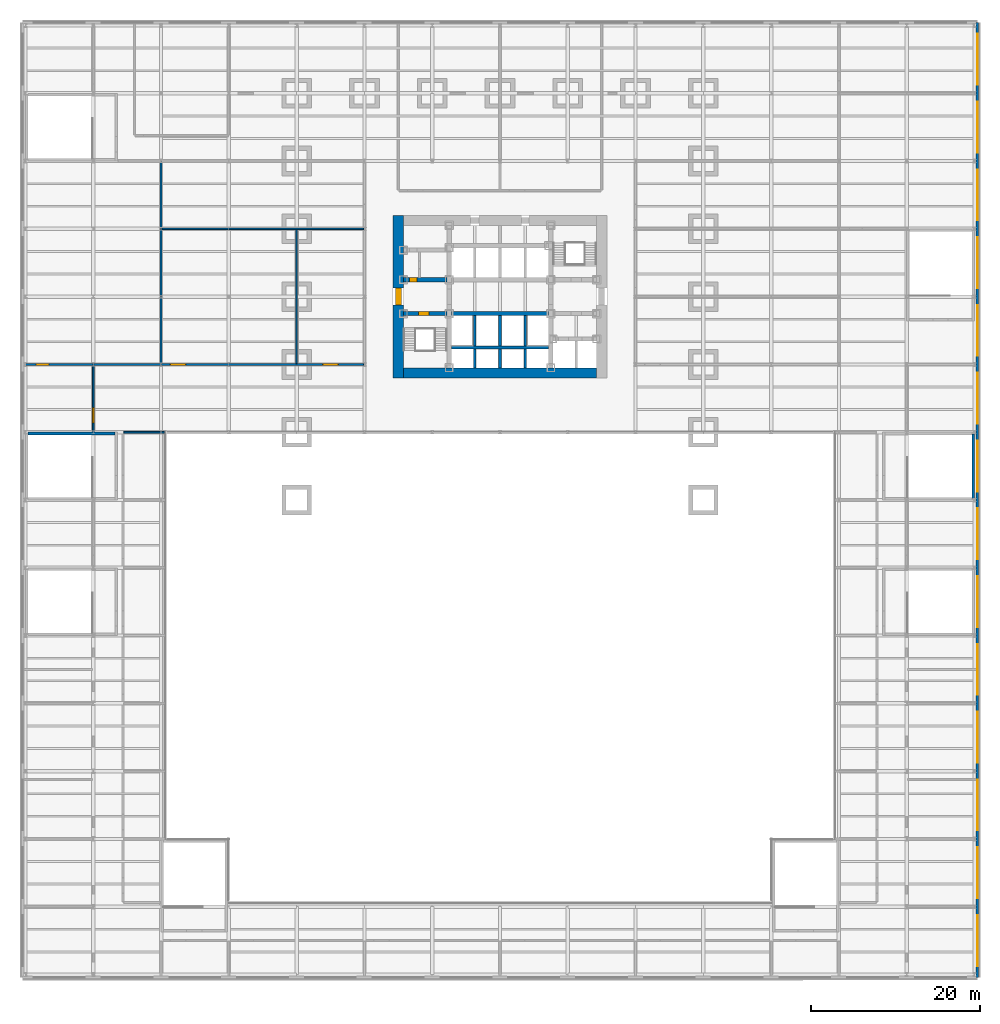
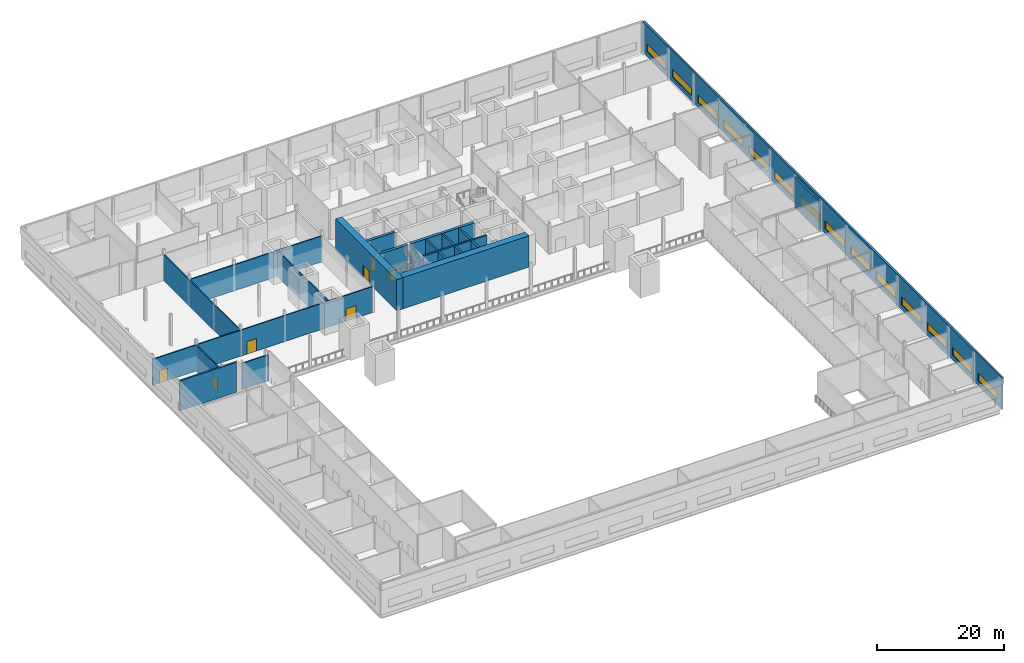
# One storey, part 14 of 21: 22 walls, 14 windows, 7 doors, 21 openings.
"""IFC4 building model written with IfcOpenShell, lengths in metres."""

from ifc_helpers import new_model, si_unit, direction, frame, frame_2d, origin, place, context, subcontext, project, spatial, rectangle, extrude, material, layer, layer_set, type_object, element, fill, save


model = new_model("IFC4")

# Units and contexts
model_context = context("Model", 3, precision=1e-05, world=origin(), true_north=direction((0.0, 1.0)))
body_context = subcontext(model_context, "Body", "Model", "MODEL_VIEW")
ifc_project = project(units=[si_unit("LENGTHUNIT", "METRE"), si_unit("AREAUNIT", "SQUARE_METRE"), si_unit("VOLUMEUNIT", "CUBIC_METRE"), si_unit("PLANEANGLEUNIT", "RADIAN"), si_unit("MASSUNIT", "GRAM", prefix="KILO")], contexts=[model_context])

# Site, building, storey
site_placement = place(None, origin())
site = spatial("IfcSite", under=ifc_project, at=site_placement, CompositionType="ELEMENT")
building_placement = place(site_placement, origin())
building = spatial("IfcBuilding", under=site, at=building_placement, Name="Daluyong Arena Tower", CompositionType="ELEMENT")
storey_placement = place(building_placement, frame((0.0, 0.0, 19.89990234375)))
storey = spatial("IfcBuildingStorey", under=building, at=storey_placement, Name="L04", CompositionType="ELEMENT", Elevation=19.89990234375)

# Wall, opening, door
ifc_material_1 = material(Name="Concrete fc' 45 MPa", Category="concrete")
ifc_layer_1 = layer(ifc_material_1, 0.5)
ifc_layer_set_1 = layer_set([ifc_layer_1], Name="Concrete fc' 45 MPa")
wall_type_1 = type_object("IfcWallType", Name="Core inner wall 500", PredefinedType="SHEAR", material=ifc_layer_set_1)
wall_1_placement = place(storey_placement, frame((44.60009765625, 78.0, 0.0), z_axis=(0.0, 0.0, 1.0), x_axis=(1.0, 0.0, 0.0)))
wall_1 = element("IfcWall", 1, at=wall_1_placement, inside=storey, type_object=wall_type_1, Name="core inner wall at L04", PredefinedType="SHEAR", context=body_context, shape_type="SweptSolid", body=[
    extrude(rectangle(XDim=5.14990234375, YDim=0.5, at=frame_2d((2.574951171875, 0.0))), origin(), (0.0, 0.0, 1.0), 6.0),
])
opening_1_placement = place(wall_1_placement, frame((1.800048828125, 0.0, 0.0)))
opening_1 = element("IfcOpeningElement", 2, at=opening_1_placement, cuts=wall_1, Name="Opening 04006", PredefinedType="OPENING", context=body_context, shape_type="SweptSolid", body=[
    extrude(rectangle(XDim=1.199951171875, YDim=2.10009765625, at=frame_2d((0.60009765625, 1.050048828125))), frame((0.0, 0.260009765625, 0.0), z_axis=(0.0, -1.0, 0.0), x_axis=(1.0, 0.0, 0.0)), (0.0, 0.0, 1.0), 0.52001953125),
])
ifc_material_2 = material(Name="Steel door, fire rated", Category="steel")
door_type_1 = type_object("IfcDoorType", Name="Stair door 1200", OperationType="SINGLE_SWING_LEFT", PredefinedType="DOOR", material=ifc_material_2)
door_1_placement = place(opening_1_placement, origin())
door_1 = element("IfcDoor", 3, at=door_1_placement, inside=storey, type_object=door_type_1, Name="stair A door 04006", OperationType="SINGLE_SWING_LEFT", OverallHeight=2.10009765625, OverallWidth=1.199951171875, PredefinedType="DOOR", context=body_context, shape_type="SweptSolid", body=[
    extrude(rectangle(XDim=1.199951171875, YDim=2.10009765625, at=frame_2d((0.60009765625, 1.050048828125))), frame((0.0, 0.249755859375, 0.0), z_axis=(0.0, -1.0, 0.0), x_axis=(1.0, 0.0, 0.0)), (0.0, 0.0, 1.0), 0.49951171875),
])
fill(opening_1, door_1)

wall_2_placement = place(storey_placement, frame((44.60009765625, 82.0, 0.0), z_axis=(0.0, 0.0, 1.0), x_axis=(1.0, 0.0, 0.0)))
wall_2 = element("IfcWall", 4, at=wall_2_placement, inside=storey, type_object=wall_type_1, Name="core inner wall at L04", PredefinedType="SHEAR", context=body_context, shape_type="SweptSolid", body=[
    extrude(rectangle(XDim=5.14990234375, YDim=0.5, at=frame_2d((2.574951171875, 0.0))), origin(), (0.0, 0.0, 1.0), 6.0),
])
opening_2_placement = place(wall_2_placement, frame((0.699951171875, 0.0, 0.0)))
opening_2 = element("IfcOpeningElement", 5, at=opening_2_placement, cuts=wall_2, Name="Opening 04001", PredefinedType="OPENING", context=body_context, shape_type="SweptSolid", body=[
    extrude(rectangle(XDim=0.89990234375, YDim=2.10009765625, at=frame_2d((0.449951171875, 1.050048828125))), frame((0.0, 0.260009765625, 0.0), z_axis=(0.0, -1.0, 0.0), x_axis=(1.0, 0.0, 0.0)), (0.0, 0.0, 1.0), 0.52001953125),
])
ifc_material_3 = material(Name="Steel door, fire rated", Category="steel")
door_type_2 = type_object("IfcDoorType", Name="Core room door 900", OperationType="SINGLE_SWING_LEFT", PredefinedType="DOOR", material=ifc_material_3)
door_2_placement = place(opening_2_placement, origin())
door_2 = element("IfcDoor", 6, at=door_2_placement, inside=storey, type_object=door_type_2, Name="toilet lobby door 04001", OperationType="SINGLE_SWING_LEFT", OverallHeight=2.10009765625, OverallWidth=0.89990234375, PredefinedType="DOOR", context=body_context, shape_type="SweptSolid", body=[
    extrude(rectangle(XDim=0.89990234375, YDim=2.10009765625, at=frame_2d((0.449951171875, 1.050048828125))), frame((0.0, 0.249755859375, 0.0), z_axis=(0.0, -1.0, 0.0), x_axis=(1.0, 0.0, 0.0)), (0.0, 0.0, 1.0), 0.49951171875),
])
fill(opening_2, door_2)

# Wall
wall_3_placement = place(storey_placement, frame((50.25, 78.0, 0.0), z_axis=(0.0, 0.0, 1.0), x_axis=(1.0, 0.0, 0.0)))
element("IfcWall", 7, at=wall_3_placement, inside=storey, type_object=wall_type_1, Name="core inner wall at L04", PredefinedType="SHEAR", context=body_context, shape_type="SweptSolid", body=[
    extrude(rectangle(XDim=11.5, YDim=0.5, at=frame_2d((5.75, 0.0))), origin(), (0.0, 0.0, 1.0), 6.0),
])

# Wall, opening, door
ifc_material_4 = material(Name="Concrete fc' 60 MPa", Category="concrete")
ifc_layer_2 = layer(ifc_material_4, 1.199951171875)
ifc_layer_set_2 = layer_set([ifc_layer_2], Name="Concrete fc' 60 MPa")
wall_type_2 = type_object("IfcWallType", Name="Core wall 1200", PredefinedType="SHEAR", material=ifc_layer_set_2)
wall_4_placement = place(storey_placement, frame((44.0, 70.39990234375, 0.0), z_axis=(0.0, 0.0, 1.0), x_axis=(0.0, 1.0, 0.0)))
wall_4 = element("IfcWall", 8, at=wall_4_placement, inside=storey, type_object=wall_type_2, Name="core wall at L04", PredefinedType="SHEAR", context=body_context, shape_type="SweptSolid", body=[
    extrude(rectangle(XDim=19.2001953125, YDim=1.199951171875, at=frame_2d((9.60009765625, 0.0))), origin(), (0.0, 0.0, 1.0), 6.0),
])
opening_3_placement = place(wall_4_placement, frame((8.60009765625, 0.0, 0.0)))
opening_3 = element("IfcOpeningElement", 9, at=opening_3_placement, cuts=wall_4, Name="Opening 04008", PredefinedType="OPENING", context=body_context, shape_type="SweptSolid", body=[
    extrude(rectangle(XDim=2.0, YDim=2.39990234375, at=frame_2d((1.0, 1.199951171875))), frame((0.0, 0.60986328125, 0.0), z_axis=(0.0, -1.0, 0.0), x_axis=(1.0, 0.0, 0.0)), (0.0, 0.0, 1.0), 1.219970703125),
])
ifc_material_5 = material(Name="Steel door, fire rated", Category="steel")
door_type_3 = type_object("IfcDoorType", Name="Core lobby double door 2000", OperationType="DOUBLE_DOOR_SINGLE_SWING", PredefinedType="DOOR", material=ifc_material_5)
door_3_placement = place(opening_3_placement, origin())
door_3 = element("IfcDoor", 10, at=door_3_placement, inside=storey, type_object=door_type_3, Name="core lobby door west 04008", OperationType="DOUBLE_DOOR_SINGLE_SWING", OverallHeight=2.39990234375, OverallWidth=2.0, PredefinedType="DOOR", context=body_context, shape_type="SweptSolid", body=[
    extrude(rectangle(XDim=2.0, YDim=2.39990234375, at=frame_2d((1.0, 1.199951171875))), frame((0.0, 0.35009765625, 0.0), z_axis=(0.0, -1.0, 0.0), x_axis=(1.0, 0.0, 0.0)), (0.0, 0.0, 1.0), 0.699951171875),
])
fill(opening_3, door_3)

# Wall
wall_5_placement = place(storey_placement, frame((44.60009765625, 71.0, 0.0), z_axis=(0.0, 0.0, 1.0), x_axis=(1.0, 0.0, 0.0)))
element("IfcWall", 11, at=wall_5_placement, inside=storey, type_object=wall_type_2, Name="core wall at L04", PredefinedType="SHEAR", context=body_context, shape_type="SweptSolid", body=[
    extrude(rectangle(XDim=22.7998046875, YDim=1.199951171875, at=frame_2d((11.39990234375, 0.0))), origin(), (0.0, 0.0, 1.0), 6.0),
])

# Wall, opening, door
ifc_material_6 = material(Name="Concrete block partition, fire rated", Category="concrete")
ifc_layer_3 = layer(ifc_material_6, 0.199951171875)
ifc_layer_set_3 = layer_set([ifc_layer_3], Name="Concrete block partition, fire rated")
wall_type_3 = type_object("IfcWallType", Name="Fire-rated partition 200", PredefinedType="PARTITIONING", material=ifc_layer_set_3)
wall_6_placement = place(storey_placement, frame((0.0, 72.0, 0.0), z_axis=(0.0, 0.0, 1.0), x_axis=(1.0, 0.0, 0.0)))
wall_6 = element("IfcWall", 12, at=wall_6_placement, inside=storey, type_object=wall_type_3, Name="fire-rated partition at L04", PredefinedType="PARTITIONING", context=body_context, shape_type="SweptSolid", body=[
    extrude(rectangle(XDim=16.0, YDim=0.199951171875, at=frame_2d((8.0, 0.0))), origin(), (0.0, 0.0, 1.0), 4.977783203125),
])
opening_4_placement = place(wall_6_placement, frame((1.25, 0.0, 0.0)))
opening_4 = element("IfcOpeningElement", 13, at=opening_4_placement, cuts=wall_6, Name="Opening 04031", PredefinedType="OPENING", context=body_context, shape_type="SweptSolid", body=[
    extrude(rectangle(XDim=1.5, YDim=2.39990234375, at=frame_2d((0.75, 1.199951171875))), frame((0.0, 0.10986328125, 0.0), z_axis=(0.0, -1.0, 0.0), x_axis=(1.0, 0.0, 0.0)), (0.0, 0.0, 1.0), 0.219970703125),
])
ifc_material_7 = material(Name="Steel door, fire rated", Category="steel")
door_type_4 = type_object("IfcDoorType", Name="Plant room door 1500", OperationType="DOUBLE_DOOR_SINGLE_SWING", PredefinedType="DOOR", material=ifc_material_7)
door_4_placement = place(opening_4_placement, origin())
door_4 = element("IfcDoor", 14, at=door_4_placement, inside=storey, type_object=door_type_4, Name="air handling plant room door 04031", OperationType="DOUBLE_DOOR_SINGLE_SWING", OverallHeight=2.39990234375, OverallWidth=1.5, PredefinedType="DOOR", context=body_context, shape_type="SweptSolid", body=[
    extrude(rectangle(XDim=1.5, YDim=2.39990234375, at=frame_2d((0.75, 1.199951171875))), frame((0.0, 0.099609375, 0.0), z_axis=(0.0, -1.0, 0.0), x_axis=(1.0, 0.0, 0.0)), (0.0, 0.0, 1.0), 0.199462890625),
])
fill(opening_4, door_4)

# Walls
wall_7_placement = place(storey_placement, frame((16.0, 72.10009765625, 0.0), z_axis=(0.0, 0.0, 1.0), x_axis=(0.0, 1.0, 0.0)))
element("IfcWall", 15, at=wall_7_placement, inside=storey, type_object=wall_type_3, Name="fire-rated partition at L04", PredefinedType="PARTITIONING", context=body_context, shape_type="SweptSolid", body=[
    extrude(rectangle(XDim=23.7998046875, YDim=0.199951171875, at=frame_2d((11.89990234375, 0.0))), origin(), (0.0, 0.0, 1.0), 4.977783203125),
])
ifc_material_8 = material(Name="Concrete fc' 45 MPa", Category="concrete")
ifc_layer_4 = layer(ifc_material_8, 0.300048828125)
ifc_layer_set_4 = layer_set([ifc_layer_4], Name="Concrete fc' 45 MPa")
wall_type_4 = type_object("IfcWallType", Name="Lift shaft wall 300", PredefinedType="SHEAR", material=ifc_layer_set_4)
wall_8_placement = place(storey_placement, frame((50.25, 74.0, 0.0), z_axis=(0.0, 0.0, 1.0), x_axis=(1.0, 0.0, 0.0)))
element("IfcWall", 16, at=wall_8_placement, inside=storey, type_object=wall_type_4, Name="lift shaft wall at L04", PredefinedType="SHEAR", context=body_context, shape_type="SweptSolid", body=[
    extrude(rectangle(XDim=11.5, YDim=0.300048828125, at=frame_2d((5.75, 0.0))), origin(), (0.0, 0.0, 1.0), 6.0),
])
wall_9_placement = place(storey_placement, frame((53.0, 71.60009765625, 0.0), z_axis=(0.0, 0.0, 1.0), x_axis=(0.0, 1.0, 0.0)))
element("IfcWall", 17, at=wall_9_placement, inside=storey, type_object=wall_type_4, Name="lift shaft wall at L04", PredefinedType="SHEAR", context=body_context, shape_type="SweptSolid", body=[
    extrude(rectangle(XDim=2.25, YDim=0.300048828125, at=frame_2d((1.125, 0.0))), origin(), (0.0, 0.0, 1.0), 6.0),
])
wall_10_placement = place(storey_placement, frame((53.0, 74.14990234375, 0.0), z_axis=(0.0, 0.0, 1.0), x_axis=(0.0, 1.0, 0.0)))
element("IfcWall", 18, at=wall_10_placement, inside=storey, type_object=wall_type_4, Name="lift shaft wall at L04", PredefinedType="SHEAR", context=body_context, shape_type="SweptSolid", body=[
    extrude(rectangle(XDim=3.60009765625, YDim=0.300048828125, at=frame_2d((1.800048828125, 0.0))), origin(), (0.0, 0.0, 1.0), 6.0),
])
wall_11_placement = place(storey_placement, frame((56.0, 71.60009765625, 0.0), z_axis=(0.0, 0.0, 1.0), x_axis=(0.0, 1.0, 0.0)))
element("IfcWall", 19, at=wall_11_placement, inside=storey, type_object=wall_type_4, Name="lift shaft wall at L04", PredefinedType="SHEAR", context=body_context, shape_type="SweptSolid", body=[
    extrude(rectangle(XDim=2.25, YDim=0.300048828125, at=frame_2d((1.125, 0.0))), origin(), (0.0, 0.0, 1.0), 6.0),
])
wall_12_placement = place(storey_placement, frame((56.0, 74.14990234375, 0.0), z_axis=(0.0, 0.0, 1.0), x_axis=(0.0, 1.0, 0.0)))
element("IfcWall", 20, at=wall_12_placement, inside=storey, type_object=wall_type_4, Name="lift shaft wall at L04", PredefinedType="SHEAR", context=body_context, shape_type="SweptSolid", body=[
    extrude(rectangle(XDim=3.60009765625, YDim=0.300048828125, at=frame_2d((1.800048828125, 0.0))), origin(), (0.0, 0.0, 1.0), 6.0),
])
wall_13_placement = place(storey_placement, frame((59.0, 71.60009765625, 0.0), z_axis=(0.0, 0.0, 1.0), x_axis=(0.0, 1.0, 0.0)))
element("IfcWall", 21, at=wall_13_placement, inside=storey, type_object=wall_type_4, Name="lift shaft wall at L04", PredefinedType="SHEAR", context=body_context, shape_type="SweptSolid", body=[
    extrude(rectangle(XDim=2.25, YDim=0.300048828125, at=frame_2d((1.125, 0.0))), origin(), (0.0, 0.0, 1.0), 6.0),
])
wall_14_placement = place(storey_placement, frame((59.0, 74.14990234375, 0.0), z_axis=(0.0, 0.0, 1.0), x_axis=(0.0, 1.0, 0.0)))
element("IfcWall", 22, at=wall_14_placement, inside=storey, type_object=wall_type_4, Name="lift shaft wall at L04", PredefinedType="SHEAR", context=body_context, shape_type="SweptSolid", body=[
    extrude(rectangle(XDim=3.60009765625, YDim=0.300048828125, at=frame_2d((1.800048828125, 0.0))), origin(), (0.0, 0.0, 1.0), 6.0),
])
ifc_material_9 = material(Name="Concrete block partition", Category="concrete")
ifc_layer_5 = layer(ifc_material_9, 0.199951171875)
ifc_layer_set_5 = layer_set([ifc_layer_5], Name="Concrete block partition")
wall_type_5 = type_object("IfcWallType", Name="Partition 200", PredefinedType="PARTITIONING", material=ifc_layer_set_5)
wall_15_placement = place(storey_placement, frame((11.60009765625, 64.0, 0.0), z_axis=(0.0, 0.0, 1.0), x_axis=(1.0, 0.0, 0.0)))
element("IfcWall", 23, at=wall_15_placement, inside=storey, type_object=wall_type_5, Name="partition at L04", PredefinedType="PARTITIONING", context=body_context, shape_type="SweptSolid", body=[
    extrude(rectangle(XDim=4.7998046875, YDim=0.199951171875, at=frame_2d((2.39990234375, 0.0))), origin(), (0.0, 0.0, 1.0), 4.977783203125),
])

# Wall, openings, doors
wall_16_placement = place(storey_placement, frame((16.0, 72.0, 0.0), z_axis=(0.0, 0.0, 1.0), x_axis=(1.0, 0.0, 0.0)))
wall_16 = element("IfcWall", 24, at=wall_16_placement, inside=storey, type_object=wall_type_5, Name="partition at L04", PredefinedType="PARTITIONING", context=body_context, shape_type="SweptSolid", body=[
    extrude(rectangle(XDim=23.89990234375, YDim=0.199951171875, at=frame_2d((11.949951171875, 0.0))), origin(), (0.0, 0.0, 1.0), 4.977783203125),
])
opening_5_placement = place(wall_16_placement, frame((1.10009765625, 0.0, 0.0)))
opening_5 = element("IfcOpeningElement", 25, at=opening_5_placement, cuts=wall_16, Name="Opening 04061", PredefinedType="OPENING", context=body_context, shape_type="SweptSolid", body=[
    extrude(rectangle(XDim=1.800048828125, YDim=2.39990234375, at=frame_2d((0.89990234375, 1.199951171875))), frame((0.0, 0.10986328125, 0.0), z_axis=(0.0, -1.0, 0.0), x_axis=(1.0, 0.0, 0.0)), (0.0, 0.0, 1.0), 0.219970703125),
])
opening_6_placement = place(wall_16_placement, frame((19.10009765625, 0.0, 0.0)))
opening_6 = element("IfcOpeningElement", 26, at=opening_6_placement, cuts=wall_16, Name="Opening 04062", PredefinedType="OPENING", context=body_context, shape_type="SweptSolid", body=[
    extrude(rectangle(XDim=1.800048828125, YDim=2.39990234375, at=frame_2d((0.89990234375, 1.199951171875))), frame((0.0, 0.10986328125, 0.0), z_axis=(0.0, -1.0, 0.0), x_axis=(1.0, 0.0, 0.0)), (0.0, 0.0, 1.0), 0.219970703125),
])
ifc_material_10 = material(Name="Timber door", Category="wood")
door_type_5 = type_object("IfcDoorType", Name="Assembly double door 1800", OperationType="DOUBLE_DOOR_DOUBLE_SWING", PredefinedType="DOOR", material=ifc_material_10)
door_5_placement = place(opening_5_placement, origin())
door_5 = element("IfcDoor", 27, at=door_5_placement, inside=storey, type_object=door_type_5, Name="party suite door 04061", OperationType="DOUBLE_DOOR_DOUBLE_SWING", OverallHeight=2.39990234375, OverallWidth=1.800048828125, PredefinedType="DOOR", context=body_context, shape_type="SweptSolid", body=[
    extrude(rectangle(XDim=1.800048828125, YDim=2.39990234375, at=frame_2d((0.89990234375, 1.199951171875))), frame((0.0, 0.099609375, 0.0), z_axis=(0.0, -1.0, 0.0), x_axis=(1.0, 0.0, 0.0)), (0.0, 0.0, 1.0), 0.199462890625),
])
fill(opening_5, door_5)
door_6_placement = place(opening_6_placement, origin())
door_6 = element("IfcDoor", 28, at=door_6_placement, inside=storey, type_object=door_type_5, Name="party suite door 04062", OperationType="DOUBLE_DOOR_DOUBLE_SWING", OverallHeight=2.39990234375, OverallWidth=1.800048828125, PredefinedType="DOOR", context=body_context, shape_type="SweptSolid", body=[
    extrude(rectangle(XDim=1.800048828125, YDim=2.39990234375, at=frame_2d((0.89990234375, 1.199951171875))), frame((0.0, 0.099609375, 0.0), z_axis=(0.0, -1.0, 0.0), x_axis=(1.0, 0.0, 0.0)), (0.0, 0.0, 1.0), 0.199462890625),
])
fill(opening_6, door_6)

# Wall
wall_17_placement = place(storey_placement, frame((16.10009765625, 88.0, 0.0), z_axis=(0.0, 0.0, 1.0), x_axis=(1.0, 0.0, 0.0)))
element("IfcWall", 29, at=wall_17_placement, inside=storey, type_object=wall_type_5, Name="partition at L04", PredefinedType="PARTITIONING", context=body_context, shape_type="SweptSolid", body=[
    extrude(rectangle(XDim=23.7998046875, YDim=0.199951171875, at=frame_2d((11.89990234375, 0.0))), origin(), (0.0, 0.0, 1.0), 4.977783203125),
])

# Wall, opening, door
wall_18_placement = place(storey_placement, frame((8.0, 64.10009765625, 0.0), z_axis=(0.0, 0.0, 1.0), x_axis=(0.0, 1.0, 0.0)))
wall_18 = element("IfcWall", 30, at=wall_18_placement, inside=storey, type_object=wall_type_5, Name="partition at L04", PredefinedType="PARTITIONING", context=body_context, shape_type="SweptSolid", body=[
    extrude(rectangle(XDim=7.7998046875, YDim=0.199951171875, at=frame_2d((3.89990234375, 0.0))), origin(), (0.0, 0.0, 1.0), 4.977783203125),
])
opening_7_placement = place(wall_18_placement, frame((1.0, 0.0, 0.0)))
opening_7 = element("IfcOpeningElement", 31, at=opening_7_placement, cuts=wall_18, Name="Opening 04035", PredefinedType="OPENING", context=body_context, shape_type="SweptSolid", body=[
    extrude(rectangle(XDim=1.800048828125, YDim=2.39990234375, at=frame_2d((0.89990234375, 1.199951171875))), frame((0.0, 0.10986328125, 0.0), z_axis=(0.0, -1.0, 0.0), x_axis=(1.0, 0.0, 0.0)), (0.0, 0.0, 1.0), 0.219970703125),
])
door_7_placement = place(opening_7_placement, origin())
door_7 = element("IfcDoor", 32, at=door_7_placement, inside=storey, type_object=door_type_5, Name="party suite door 04035", OperationType="DOUBLE_DOOR_DOUBLE_SWING", OverallHeight=2.39990234375, OverallWidth=1.800048828125, PredefinedType="DOOR", context=body_context, shape_type="SweptSolid", body=[
    extrude(rectangle(XDim=1.800048828125, YDim=2.39990234375, at=frame_2d((0.89990234375, 1.199951171875))), frame((0.0, 0.099609375, 0.0), z_axis=(0.0, -1.0, 0.0), x_axis=(1.0, 0.0, 0.0)), (0.0, 0.0, 1.0), 0.199462890625),
])
fill(opening_7, door_7)

# Wall
wall_19_placement = place(storey_placement, frame((32.0, 72.10009765625, 0.0), z_axis=(0.0, 0.0, 1.0), x_axis=(0.0, 1.0, 0.0)))
element("IfcWall", 33, at=wall_19_placement, inside=storey, type_object=wall_type_5, Name="partition at L04", PredefinedType="PARTITIONING", context=body_context, shape_type="SweptSolid", body=[
    extrude(rectangle(XDim=15.7998046875, YDim=0.199951171875, at=frame_2d((7.89990234375, 0.0))), origin(), (0.0, 0.0, 1.0), 4.977783203125),
])

# Wall, openings, windows
ifc_material_11 = material(Name="Precast concrete fc' 45 MPa", Category="concrete")
ifc_layer_6 = layer(ifc_material_11, 0.300048828125)
ifc_layer_set_6 = layer_set([ifc_layer_6], Name="Precast concrete fc' 45 MPa")
wall_type_6 = type_object("IfcWallType", Name="Podium precast band wall 300", PredefinedType="SOLIDWALL", material=ifc_layer_set_6)
wall_20_placement = place(storey_placement, frame((112.35009765625, -0.35009765625, 0.0), z_axis=(0.0, 0.0, 1.0), x_axis=(0.0, 1.0, 0.0)))
wall_20 = element("IfcWall", 34, at=wall_20_placement, inside=storey, type_object=wall_type_6, Name="podium wall E L04", PredefinedType="SOLIDWALL", context=body_context, shape_type="SweptSolid", body=[
    extrude(rectangle(XDim=112.7001953125, YDim=0.300048828125, at=frame_2d((56.35009765625, 0.0))), origin(), (0.0, 0.0, 1.0), 6.0),
])
opening_8_placement = place(wall_20_placement, frame((1.35009765625, 0.0, 1.0)))
opening_8 = element("IfcOpeningElement", 35, at=opening_8_placement, cuts=wall_20, Name="Opening W1", PredefinedType="OPENING", context=body_context, shape_type="SweptSolid", body=[
    extrude(rectangle(XDim=6.0, YDim=1.5, at=frame_2d((3.0, 0.75))), frame((0.0, 0.159912109375, 0.0), z_axis=(0.0, -1.0, 0.0), x_axis=(1.0, 0.0, 0.0)), (0.0, 0.0, 1.0), 0.320068359375),
])
opening_9_placement = place(wall_20_placement, frame((9.35009765625, 0.0, 1.0)))
opening_9 = element("IfcOpeningElement", 36, at=opening_9_placement, cuts=wall_20, Name="Opening W1", PredefinedType="OPENING", context=body_context, shape_type="SweptSolid", body=[
    extrude(rectangle(XDim=6.0, YDim=1.5, at=frame_2d((3.0, 0.75))), frame((0.0, 0.159912109375, 0.0), z_axis=(0.0, -1.0, 0.0), x_axis=(1.0, 0.0, 0.0)), (0.0, 0.0, 1.0), 0.320068359375),
])
opening_10_placement = place(wall_20_placement, frame((17.35009765625, 0.0, 1.0)))
opening_10 = element("IfcOpeningElement", 37, at=opening_10_placement, cuts=wall_20, Name="Opening W1", PredefinedType="OPENING", context=body_context, shape_type="SweptSolid", body=[
    extrude(rectangle(XDim=6.0, YDim=1.5, at=frame_2d((3.0, 0.75))), frame((0.0, 0.159912109375, 0.0), z_axis=(0.0, -1.0, 0.0), x_axis=(1.0, 0.0, 0.0)), (0.0, 0.0, 1.0), 0.320068359375),
])
opening_11_placement = place(wall_20_placement, frame((25.35009765625, 0.0, 1.0)))
opening_11 = element("IfcOpeningElement", 38, at=opening_11_placement, cuts=wall_20, Name="Opening W1", PredefinedType="OPENING", context=body_context, shape_type="SweptSolid", body=[
    extrude(rectangle(XDim=6.0, YDim=1.5, at=frame_2d((3.0, 0.75))), frame((0.0, 0.159912109375, 0.0), z_axis=(0.0, -1.0, 0.0), x_axis=(1.0, 0.0, 0.0)), (0.0, 0.0, 1.0), 0.320068359375),
])
opening_12_placement = place(wall_20_placement, frame((33.35009765625, 0.0, 1.0)))
opening_12 = element("IfcOpeningElement", 39, at=opening_12_placement, cuts=wall_20, Name="Opening W1", PredefinedType="OPENING", context=body_context, shape_type="SweptSolid", body=[
    extrude(rectangle(XDim=6.0, YDim=1.5, at=frame_2d((3.0, 0.75))), frame((0.0, 0.159912109375, 0.0), z_axis=(0.0, -1.0, 0.0), x_axis=(1.0, 0.0, 0.0)), (0.0, 0.0, 1.0), 0.320068359375),
])
opening_13_placement = place(wall_20_placement, frame((41.35009765625, 0.0, 1.0)))
opening_13 = element("IfcOpeningElement", 40, at=opening_13_placement, cuts=wall_20, Name="Opening W1", PredefinedType="OPENING", context=body_context, shape_type="SweptSolid", body=[
    extrude(rectangle(XDim=6.0, YDim=1.5, at=frame_2d((3.0, 0.75))), frame((0.0, 0.159912109375, 0.0), z_axis=(0.0, -1.0, 0.0), x_axis=(1.0, 0.0, 0.0)), (0.0, 0.0, 1.0), 0.320068359375),
])
opening_14_placement = place(wall_20_placement, frame((49.35009765625, 0.0, 1.0)))
opening_14 = element("IfcOpeningElement", 41, at=opening_14_placement, cuts=wall_20, Name="Opening W1", PredefinedType="OPENING", context=body_context, shape_type="SweptSolid", body=[
    extrude(rectangle(XDim=6.0, YDim=1.5, at=frame_2d((3.0, 0.75))), frame((0.0, 0.159912109375, 0.0), z_axis=(0.0, -1.0, 0.0), x_axis=(1.0, 0.0, 0.0)), (0.0, 0.0, 1.0), 0.320068359375),
])
opening_15_placement = place(wall_20_placement, frame((57.35009765625, 0.0, 1.0)))
opening_15 = element("IfcOpeningElement", 42, at=opening_15_placement, cuts=wall_20, Name="Opening W1", PredefinedType="OPENING", context=body_context, shape_type="SweptSolid", body=[
    extrude(rectangle(XDim=6.0, YDim=1.5, at=frame_2d((3.0, 0.75))), frame((0.0, 0.159912109375, 0.0), z_axis=(0.0, -1.0, 0.0), x_axis=(1.0, 0.0, 0.0)), (0.0, 0.0, 1.0), 0.320068359375),
])
opening_16_placement = place(wall_20_placement, frame((65.35009765625, 0.0, 1.0)))
opening_16 = element("IfcOpeningElement", 43, at=opening_16_placement, cuts=wall_20, Name="Opening W1", PredefinedType="OPENING", context=body_context, shape_type="SweptSolid", body=[
    extrude(rectangle(XDim=6.0, YDim=1.5, at=frame_2d((3.0, 0.75))), frame((0.0, 0.159912109375, 0.0), z_axis=(0.0, -1.0, 0.0), x_axis=(1.0, 0.0, 0.0)), (0.0, 0.0, 1.0), 0.320068359375),
])
opening_17_placement = place(wall_20_placement, frame((73.35009765625, 0.0, 1.0)))
opening_17 = element("IfcOpeningElement", 44, at=opening_17_placement, cuts=wall_20, Name="Opening W1", PredefinedType="OPENING", context=body_context, shape_type="SweptSolid", body=[
    extrude(rectangle(XDim=6.0, YDim=1.5, at=frame_2d((3.0, 0.75))), frame((0.0, 0.159912109375, 0.0), z_axis=(0.0, -1.0, 0.0), x_axis=(1.0, 0.0, 0.0)), (0.0, 0.0, 1.0), 0.320068359375),
])
opening_18_placement = place(wall_20_placement, frame((81.35009765625, 0.0, 1.0)))
opening_18 = element("IfcOpeningElement", 45, at=opening_18_placement, cuts=wall_20, Name="Opening W1", PredefinedType="OPENING", context=body_context, shape_type="SweptSolid", body=[
    extrude(rectangle(XDim=6.0, YDim=1.5, at=frame_2d((3.0, 0.75))), frame((0.0, 0.159912109375, 0.0), z_axis=(0.0, -1.0, 0.0), x_axis=(1.0, 0.0, 0.0)), (0.0, 0.0, 1.0), 0.320068359375),
])
opening_19_placement = place(wall_20_placement, frame((89.35009765625, 0.0, 1.0)))
opening_19 = element("IfcOpeningElement", 46, at=opening_19_placement, cuts=wall_20, Name="Opening W1", PredefinedType="OPENING", context=body_context, shape_type="SweptSolid", body=[
    extrude(rectangle(XDim=6.0, YDim=1.5, at=frame_2d((3.0, 0.75))), frame((0.0, 0.159912109375, 0.0), z_axis=(0.0, -1.0, 0.0), x_axis=(1.0, 0.0, 0.0)), (0.0, 0.0, 1.0), 0.320068359375),
])
opening_20_placement = place(wall_20_placement, frame((97.35009765625, 0.0, 1.0)))
opening_20 = element("IfcOpeningElement", 47, at=opening_20_placement, cuts=wall_20, Name="Opening W1", PredefinedType="OPENING", context=body_context, shape_type="SweptSolid", body=[
    extrude(rectangle(XDim=6.0, YDim=1.5, at=frame_2d((3.0, 0.75))), frame((0.0, 0.159912109375, 0.0), z_axis=(0.0, -1.0, 0.0), x_axis=(1.0, 0.0, 0.0)), (0.0, 0.0, 1.0), 0.320068359375),
])
opening_21_placement = place(wall_20_placement, frame((105.35009765625, 0.0, 1.0)))
opening_21 = element("IfcOpeningElement", 48, at=opening_21_placement, cuts=wall_20, Name="Opening W1", PredefinedType="OPENING", context=body_context, shape_type="SweptSolid", body=[
    extrude(rectangle(XDim=6.0, YDim=1.5, at=frame_2d((3.0, 0.75))), frame((0.0, 0.159912109375, 0.0), z_axis=(0.0, -1.0, 0.0), x_axis=(1.0, 0.0, 0.0)), (0.0, 0.0, 1.0), 0.320068359375),
])
ifc_material_12 = material(Name="Bronze aluminium window, tinted glass", Category="aluminium")
window_type = type_object("IfcWindowType", Name="Ribbon window 6000x1500", PartitioningType="TRIPLE_PANEL_HORIZONTAL", PredefinedType="WINDOW", material=ifc_material_12)
window_1_placement = place(opening_8_placement, origin())
window_1 = element("IfcWindow", 49, at=window_1_placement, inside=storey, type_object=window_type, Name="ribbon window E", OverallHeight=1.5, OverallWidth=6.0, PartitioningType="SINGLE_PANEL", PredefinedType="WINDOW", context=body_context, shape_type="SweptSolid", body=[
    extrude(rectangle(XDim=6.0, YDim=1.5, at=frame_2d((3.0, 0.75))), frame((0.0, 0.030029296875, 0.0), z_axis=(0.0, -1.0, 0.0), x_axis=(1.0, 0.0, 0.0)), (0.0, 0.0, 1.0), 0.06005859375),
])
fill(opening_8, window_1)
window_2_placement = place(opening_9_placement, origin())
window_2 = element("IfcWindow", 50, at=window_2_placement, inside=storey, type_object=window_type, Name="ribbon window E", OverallHeight=1.5, OverallWidth=6.0, PartitioningType="SINGLE_PANEL", PredefinedType="WINDOW", context=body_context, shape_type="SweptSolid", body=[
    extrude(rectangle(XDim=6.0, YDim=1.5, at=frame_2d((3.0, 0.75))), frame((0.0, 0.030029296875, 0.0), z_axis=(0.0, -1.0, 0.0), x_axis=(1.0, 0.0, 0.0)), (0.0, 0.0, 1.0), 0.06005859375),
])
fill(opening_9, window_2)
window_3_placement = place(opening_10_placement, origin())
window_3 = element("IfcWindow", 51, at=window_3_placement, inside=storey, type_object=window_type, Name="ribbon window E", OverallHeight=1.5, OverallWidth=6.0, PartitioningType="SINGLE_PANEL", PredefinedType="WINDOW", context=body_context, shape_type="SweptSolid", body=[
    extrude(rectangle(XDim=6.0, YDim=1.5, at=frame_2d((3.0, 0.75))), frame((0.0, 0.030029296875, 0.0), z_axis=(0.0, -1.0, 0.0), x_axis=(1.0, 0.0, 0.0)), (0.0, 0.0, 1.0), 0.06005859375),
])
fill(opening_10, window_3)
window_4_placement = place(opening_11_placement, origin())
window_4 = element("IfcWindow", 52, at=window_4_placement, inside=storey, type_object=window_type, Name="ribbon window E", OverallHeight=1.5, OverallWidth=6.0, PartitioningType="SINGLE_PANEL", PredefinedType="WINDOW", context=body_context, shape_type="SweptSolid", body=[
    extrude(rectangle(XDim=6.0, YDim=1.5, at=frame_2d((3.0, 0.75))), frame((0.0, 0.030029296875, 0.0), z_axis=(0.0, -1.0, 0.0), x_axis=(1.0, 0.0, 0.0)), (0.0, 0.0, 1.0), 0.06005859375),
])
fill(opening_11, window_4)
window_5_placement = place(opening_12_placement, origin())
window_5 = element("IfcWindow", 53, at=window_5_placement, inside=storey, type_object=window_type, Name="ribbon window E", OverallHeight=1.5, OverallWidth=6.0, PartitioningType="SINGLE_PANEL", PredefinedType="WINDOW", context=body_context, shape_type="SweptSolid", body=[
    extrude(rectangle(XDim=6.0, YDim=1.5, at=frame_2d((3.0, 0.75))), frame((0.0, 0.030029296875, 0.0), z_axis=(0.0, -1.0, 0.0), x_axis=(1.0, 0.0, 0.0)), (0.0, 0.0, 1.0), 0.06005859375),
])
fill(opening_12, window_5)
window_6_placement = place(opening_13_placement, origin())
window_6 = element("IfcWindow", 54, at=window_6_placement, inside=storey, type_object=window_type, Name="ribbon window E", OverallHeight=1.5, OverallWidth=6.0, PartitioningType="SINGLE_PANEL", PredefinedType="WINDOW", context=body_context, shape_type="SweptSolid", body=[
    extrude(rectangle(XDim=6.0, YDim=1.5, at=frame_2d((3.0, 0.75))), frame((0.0, 0.030029296875, 0.0), z_axis=(0.0, -1.0, 0.0), x_axis=(1.0, 0.0, 0.0)), (0.0, 0.0, 1.0), 0.06005859375),
])
fill(opening_13, window_6)
window_7_placement = place(opening_14_placement, origin())
window_7 = element("IfcWindow", 55, at=window_7_placement, inside=storey, type_object=window_type, Name="ribbon window E", OverallHeight=1.5, OverallWidth=6.0, PartitioningType="SINGLE_PANEL", PredefinedType="WINDOW", context=body_context, shape_type="SweptSolid", body=[
    extrude(rectangle(XDim=6.0, YDim=1.5, at=frame_2d((3.0, 0.75))), frame((0.0, 0.030029296875, 0.0), z_axis=(0.0, -1.0, 0.0), x_axis=(1.0, 0.0, 0.0)), (0.0, 0.0, 1.0), 0.06005859375),
])
fill(opening_14, window_7)
window_8_placement = place(opening_15_placement, origin())
window_8 = element("IfcWindow", 56, at=window_8_placement, inside=storey, type_object=window_type, Name="ribbon window E", OverallHeight=1.5, OverallWidth=6.0, PartitioningType="SINGLE_PANEL", PredefinedType="WINDOW", context=body_context, shape_type="SweptSolid", body=[
    extrude(rectangle(XDim=6.0, YDim=1.5, at=frame_2d((3.0, 0.75))), frame((0.0, 0.030029296875, 0.0), z_axis=(0.0, -1.0, 0.0), x_axis=(1.0, 0.0, 0.0)), (0.0, 0.0, 1.0), 0.06005859375),
])
fill(opening_15, window_8)
window_9_placement = place(opening_16_placement, origin())
window_9 = element("IfcWindow", 57, at=window_9_placement, inside=storey, type_object=window_type, Name="ribbon window E", OverallHeight=1.5, OverallWidth=6.0, PartitioningType="SINGLE_PANEL", PredefinedType="WINDOW", context=body_context, shape_type="SweptSolid", body=[
    extrude(rectangle(XDim=6.0, YDim=1.5, at=frame_2d((3.0, 0.75))), frame((0.0, 0.030029296875, 0.0), z_axis=(0.0, -1.0, 0.0), x_axis=(1.0, 0.0, 0.0)), (0.0, 0.0, 1.0), 0.06005859375),
])
fill(opening_16, window_9)
window_10_placement = place(opening_17_placement, origin())
window_10 = element("IfcWindow", 58, at=window_10_placement, inside=storey, type_object=window_type, Name="ribbon window E", OverallHeight=1.5, OverallWidth=6.0, PartitioningType="SINGLE_PANEL", PredefinedType="WINDOW", context=body_context, shape_type="SweptSolid", body=[
    extrude(rectangle(XDim=6.0, YDim=1.5, at=frame_2d((3.0, 0.75))), frame((0.0, 0.030029296875, 0.0), z_axis=(0.0, -1.0, 0.0), x_axis=(1.0, 0.0, 0.0)), (0.0, 0.0, 1.0), 0.06005859375),
])
fill(opening_17, window_10)
window_11_placement = place(opening_18_placement, origin())
window_11 = element("IfcWindow", 59, at=window_11_placement, inside=storey, type_object=window_type, Name="ribbon window E", OverallHeight=1.5, OverallWidth=6.0, PartitioningType="SINGLE_PANEL", PredefinedType="WINDOW", context=body_context, shape_type="SweptSolid", body=[
    extrude(rectangle(XDim=6.0, YDim=1.5, at=frame_2d((3.0, 0.75))), frame((0.0, 0.030029296875, 0.0), z_axis=(0.0, -1.0, 0.0), x_axis=(1.0, 0.0, 0.0)), (0.0, 0.0, 1.0), 0.06005859375),
])
fill(opening_18, window_11)
window_12_placement = place(opening_19_placement, origin())
window_12 = element("IfcWindow", 60, at=window_12_placement, inside=storey, type_object=window_type, Name="ribbon window E", OverallHeight=1.5, OverallWidth=6.0, PartitioningType="SINGLE_PANEL", PredefinedType="WINDOW", context=body_context, shape_type="SweptSolid", body=[
    extrude(rectangle(XDim=6.0, YDim=1.5, at=frame_2d((3.0, 0.75))), frame((0.0, 0.030029296875, 0.0), z_axis=(0.0, -1.0, 0.0), x_axis=(1.0, 0.0, 0.0)), (0.0, 0.0, 1.0), 0.06005859375),
])
fill(opening_19, window_12)
window_13_placement = place(opening_20_placement, origin())
window_13 = element("IfcWindow", 61, at=window_13_placement, inside=storey, type_object=window_type, Name="ribbon window E", OverallHeight=1.5, OverallWidth=6.0, PartitioningType="SINGLE_PANEL", PredefinedType="WINDOW", context=body_context, shape_type="SweptSolid", body=[
    extrude(rectangle(XDim=6.0, YDim=1.5, at=frame_2d((3.0, 0.75))), frame((0.0, 0.030029296875, 0.0), z_axis=(0.0, -1.0, 0.0), x_axis=(1.0, 0.0, 0.0)), (0.0, 0.0, 1.0), 0.06005859375),
])
fill(opening_20, window_13)
window_14_placement = place(opening_21_placement, origin())
window_14 = element("IfcWindow", 62, at=window_14_placement, inside=storey, type_object=window_type, Name="ribbon window E", OverallHeight=1.5, OverallWidth=6.0, PartitioningType="SINGLE_PANEL", PredefinedType="WINDOW", context=body_context, shape_type="SweptSolid", body=[
    extrude(rectangle(XDim=6.0, YDim=1.5, at=frame_2d((3.0, 0.75))), frame((0.0, 0.030029296875, 0.0), z_axis=(0.0, -1.0, 0.0), x_axis=(1.0, 0.0, 0.0)), (0.0, 0.0, 1.0), 0.06005859375),
])
fill(opening_21, window_14)

# Walls
ifc_material_13 = material(Name="Concrete fc' 35 MPa", Category="concrete")
ifc_layer_7 = layer(ifc_material_13, 0.300048828125)
ifc_layer_set_7 = layer_set([ifc_layer_7], Name="Concrete fc' 35 MPa")
wall_type_7 = type_object("IfcWallType", Name="Stair enclosure wall 300", PredefinedType="SOLIDWALL", material=ifc_layer_set_7)
wall_21_placement = place(storey_placement, frame((0.300048828125, 63.85009765625, 0.0), z_axis=(0.0, 0.0, 1.0), x_axis=(1.0, 0.0, 0.0)))
element("IfcWall", 63, at=wall_21_placement, inside=storey, type_object=wall_type_7, Name="exit stair PS7 enclosure", PredefinedType="SOLIDWALL", context=body_context, shape_type="SweptSolid", body=[
    extrude(rectangle(XDim=10.25, YDim=0.300048828125, at=frame_2d((5.125, 0.0))), origin(), (0.0, 0.0, 1.0), 5.75),
])
wall_22_placement = place(storey_placement, frame((111.85009765625, 56.193115234375, 0.0), z_axis=(0.0, 0.0, 1.0), x_axis=(0.0, 1.0, 0.0)))
element("IfcWall", 64, at=wall_22_placement, inside=storey, type_object=wall_type_7, Name="exit stair PS8 enclosure", PredefinedType="SOLIDWALL", context=body_context, shape_type="SweptSolid", body=[
    extrude(rectangle(XDim=7.61376953125, YDim=0.300048828125, at=frame_2d((3.806884765625, 0.0))), origin(), (0.0, 0.0, 1.0), 5.75),
])

save(model, "model.ifc")
